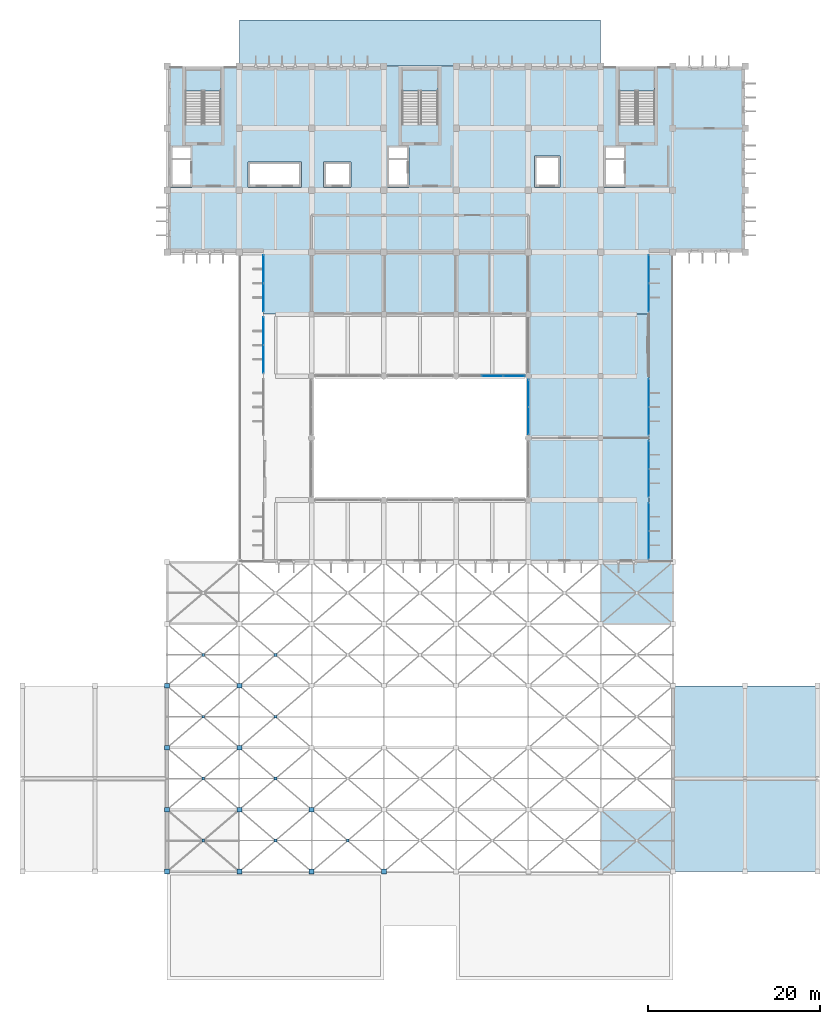
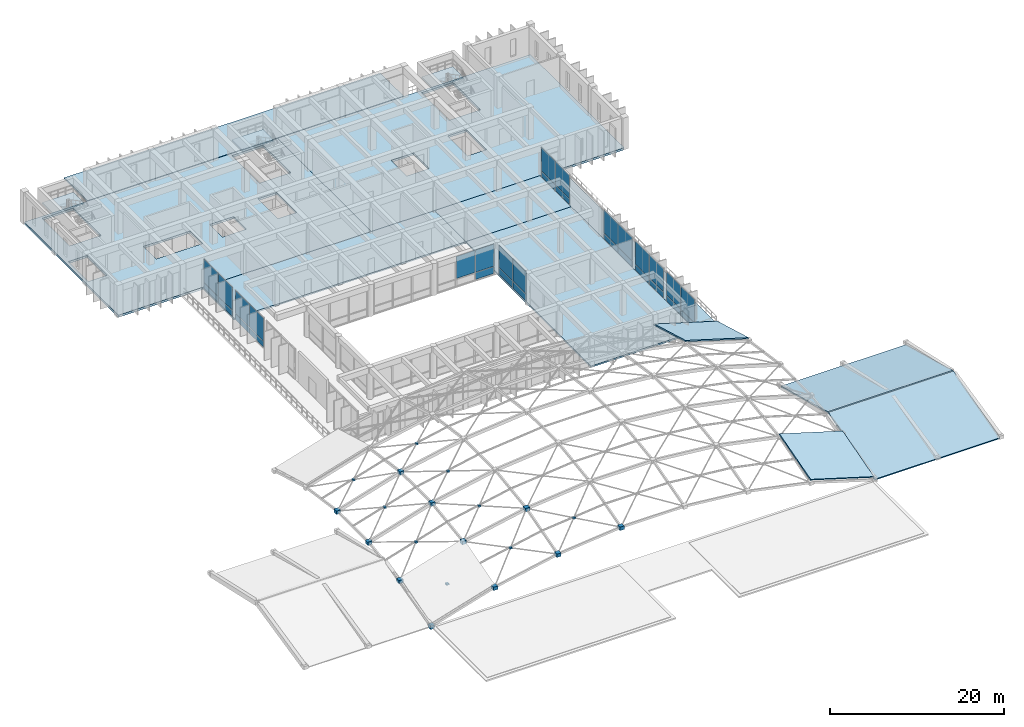
# One storey, part 14 of 23: 51 plates, 14 slabs, 11 elements without a shape of their own.
"""IFC4 building model written with IfcOpenShell, lengths in metres."""

from ifc_helpers import new_model, si_unit, direction, frame, origin, origin_2d, place, context, subcontext, project, spatial, polyline, rectangle, outline, extrude, material, layer, layer_set, type_object, element, aggregate, save


model = new_model("IFC4")

# Units and contexts
model_context = context("Model", 3, precision=1e-05, world=origin(), true_north=direction((0.0, 1.0)))
body_context = subcontext(model_context, "Body", "Model", "MODEL_VIEW")
ifc_project = project(units=[si_unit("LENGTHUNIT", "METRE"), si_unit("AREAUNIT", "SQUARE_METRE"), si_unit("VOLUMEUNIT", "CUBIC_METRE"), si_unit("PLANEANGLEUNIT", "RADIAN"), si_unit("MASSUNIT", "GRAM", prefix="KILO")], contexts=[model_context])

# Site, building, storey
site_placement = place(None, origin())
site = spatial("IfcSite", under=ifc_project, at=site_placement, CompositionType="ELEMENT")
building_placement = place(site_placement, origin())
building = spatial("IfcBuilding", under=site, at=building_placement, Name="Kenerak Square Central Library", CompositionType="ELEMENT")
storey_placement = place(building_placement, frame((0.0, 0.0, 18.8798828125)))
storey = spatial("IfcBuildingStorey", under=building, at=storey_placement, Name="L04", CompositionType="ELEMENT", Elevation=18.8798828125)

# Slabs
ifc_material_1 = material(Name="Concrete C40/50", Category="concrete")
ifc_layer_1 = layer(ifc_material_1, 0.300048828125)
ifc_layer_set_1 = layer_set([ifc_layer_1], Name="Concrete C40/50")
slab_type_1 = type_object("IfcSlabType", Name="Compact-Shelving Vault Slab FS-300 C40/50", PredefinedType="FLOOR", material=ifc_layer_set_1)
slab_1_placement = place(storey_placement, frame((0.0, 0.0, -0.2998046875)))
element("IfcSlab", 1, at=slab_1_placement, inside=storey, type_object=slab_type_1, Name="V5 Floor Slab L04 091", PredefinedType="FLOOR", context=body_context, shape_type="SweptSolid", body=[
    extrude(outline(polyline([(58.39990234375, 88.800048828125), (58.39990234375, 110.39990234375), (92.0, 110.39990234375), (92.0, 88.800048828125), (58.39990234375, 88.800048828125)]), holes=[polyline([(64.679931640625, 103.64990234375), (64.679931640625, 110.0), (60.52001953125, 110.0), (60.52001953125, 103.64990234375), (64.679931640625, 103.64990234375)]), polyline([(89.8798828125, 103.64990234375), (89.8798828125, 110.0), (85.719970703125, 110.0), (85.719970703125, 103.64990234375), (89.8798828125, 103.64990234375)]), polyline([(67.800048828125, 96.39990234375), (74.0, 96.39990234375), (74.0, 99.300048828125), (67.800048828125, 99.300048828125), (67.800048828125, 96.39990234375)]), polyline([(76.60009765625, 96.39990234375), (79.800048828125, 96.39990234375), (79.800048828125, 99.300048828125), (76.60009765625, 99.300048828125), (76.60009765625, 96.39990234375)]), polyline([(58.800048828125, 96.39990234375), (61.300048828125, 96.39990234375), (61.300048828125, 101.0), (58.800048828125, 101.0), (58.800048828125, 96.39990234375)]), polyline([(84.0, 96.39990234375), (86.5, 96.39990234375), (86.5, 101.0), (84.0, 101.0), (84.0, 96.39990234375)])]), origin(), (0.0, 0.0, 1.0), 0.2998046875),
])
slab_2_placement = place(storey_placement, frame((0.0, 0.0, -0.2998046875)))
element("IfcSlab", 2, at=slab_2_placement, inside=storey, type_object=slab_type_1, Name="V5 Floor Slab L04 092", PredefinedType="FLOOR", context=body_context, shape_type="SweptSolid", body=[
    extrude(outline(polyline([(92.0, 88.800048828125), (92.0, 110.39990234375), (125.60009765625, 110.39990234375), (125.60009765625, 88.800048828125), (92.0, 88.800048828125)]), holes=[polyline([(115.080078125, 103.64990234375), (115.080078125, 110.0), (110.919921875, 110.0), (110.919921875, 103.64990234375), (115.080078125, 103.64990234375)]), polyline([(109.199951171875, 96.39990234375), (111.699951171875, 96.39990234375), (111.699951171875, 101.0), (109.199951171875, 101.0), (109.199951171875, 96.39990234375)]), polyline([(101.10009765625, 96.39990234375), (104.10009765625, 96.39990234375), (104.10009765625, 100.0), (101.10009765625, 100.0), (101.10009765625, 96.39990234375)])]), origin(), (0.0, 0.0, 1.0), 0.2998046875),
])

# Curtain wall, plates
ifc_material_2 = material(Name="Intumescent fire-resisting glazing EI 60", Category="glass")
curtain_wall_type_1 = type_object("IfcCurtainWallType", Name="Curtain Wall CW-AT60-64x42 6450x4255", PredefinedType="USERDEFINED", material=ifc_material_2)
curtain_wall_1_placement = place(storey_placement, origin())
curtain_wall_1 = element("IfcCurtainWall", 3, at=curtain_wall_1_placement, inside=storey, type_object=curtain_wall_type_1, Name="Atrium Fire-Rated Glazed Screen CW-AT60-64x42 L04 0181", ObjectType="CURTAIN WALL", PredefinedType="USERDEFINED")
ifc_layer_2 = layer(ifc_material_2, 0.0419921875)
ifc_layer_set_2 = layer_set([ifc_layer_2], Name="Intumescent fire-resisting glazing EI 60")
plate_type_1 = type_object("IfcPlateType", Name="Fire-Rated EI60 Atrium Glazing Panel CP-42", PredefinedType="CURTAIN_PANEL", material=ifc_layer_set_2)
plate_1_placement = place(storey_placement, frame((100.39990234375, 69.205078125, 0.0703125), z_axis=(0.0, 0.0, 1.0), x_axis=(0.0, 1.0, 0.0)))
plate_1 = element("IfcPlate", 4, at=plate_1_placement, type_object=plate_type_1, Name="CW-AT60-64x42 Panel 1.1", PredefinedType="CURTAIN_PANEL", context=body_context, shape_type="SweptSolid", body=[
    extrude(rectangle(XDim=3.1201171875, YDim=0.0419921875, at=origin_2d()), origin(), (0.0, 0.0, 1.0), 0.945068359375),
])
plate_2_placement = place(storey_placement, frame((100.39990234375, 69.205078125, 1.0849609375), z_axis=(0.0, 0.0, 1.0), x_axis=(0.0, 1.0, 0.0)))
plate_2 = element("IfcPlate", 5, at=plate_2_placement, type_object=plate_type_1, Name="CW-AT60-64x42 Panel 1.2", PredefinedType="CURTAIN_PANEL", context=body_context, shape_type="SweptSolid", body=[
    extrude(rectangle(XDim=3.1201171875, YDim=0.0419921875, at=origin_2d()), origin(), (0.0, 0.0, 1.0), 3.10009765625),
])
plate_3_placement = place(storey_placement, frame((100.39990234375, 72.39501953125, 0.0703125), z_axis=(0.0, 0.0, 1.0), x_axis=(0.0, 1.0, 0.0)))
plate_3 = element("IfcPlate", 6, at=plate_3_placement, type_object=plate_type_1, Name="CW-AT60-64x42 Panel 2.1", PredefinedType="CURTAIN_PANEL", context=body_context, shape_type="SweptSolid", body=[
    extrude(rectangle(XDim=3.1201171875, YDim=0.0419921875, at=origin_2d()), origin(), (0.0, 0.0, 1.0), 0.945068359375),
])
plate_4_placement = place(storey_placement, frame((100.39990234375, 72.39501953125, 1.0849609375), z_axis=(0.0, 0.0, 1.0), x_axis=(0.0, 1.0, 0.0)))
plate_4 = element("IfcPlate", 7, at=plate_4_placement, type_object=plate_type_1, Name="CW-AT60-64x42 Panel 2.2", PredefinedType="CURTAIN_PANEL", context=body_context, shape_type="SweptSolid", body=[
    extrude(rectangle(XDim=3.1201171875, YDim=0.0419921875, at=origin_2d()), origin(), (0.0, 0.0, 1.0), 3.10009765625),
])
aggregate(curtain_wall_1, [plate_1, plate_2, plate_3, plate_4])

curtain_wall_type_2 = type_object("IfcCurtainWallType", Name="Curtain Wall CW-AT60-76x42 7650x4255", PredefinedType="USERDEFINED", material=ifc_material_2)
curtain_wall_2_placement = place(storey_placement, origin())
curtain_wall_2 = element("IfcCurtainWall", 8, at=curtain_wall_2_placement, inside=storey, type_object=curtain_wall_type_2, Name="Atrium Fire-Rated Glazed Screen CW-AT60-76x42 L04 0182", ObjectType="CURTAIN WALL", PredefinedType="USERDEFINED")
plate_5_placement = place(storey_placement, frame((98.732421875, 74.39990234375, 0.0703125), z_axis=(0.0, 0.0, 1.0), x_axis=(-1.0, 0.0, 0.0)))
plate_5 = element("IfcPlate", 9, at=plate_5_placement, type_object=plate_type_1, Name="CW-AT60-76x42 Panel 1.1", PredefinedType="CURTAIN_PANEL", context=body_context, shape_type="SweptSolid", body=[
    extrude(rectangle(XDim=2.445068359375, YDim=0.0419921875, at=origin_2d()), origin(), (0.0, 0.0, 1.0), 0.945068359375),
])
plate_6_placement = place(storey_placement, frame((98.732421875, 74.39990234375, 1.0849609375), z_axis=(0.0, 0.0, 1.0), x_axis=(-1.0, 0.0, 0.0)))
plate_6 = element("IfcPlate", 10, at=plate_6_placement, type_object=plate_type_1, Name="CW-AT60-76x42 Panel 1.2", PredefinedType="CURTAIN_PANEL", context=body_context, shape_type="SweptSolid", body=[
    extrude(rectangle(XDim=2.445068359375, YDim=0.0419921875, at=origin_2d()), origin(), (0.0, 0.0, 1.0), 3.10009765625),
])
plate_7_placement = place(storey_placement, frame((96.199951171875, 74.39990234375, 1.0849609375), z_axis=(0.0, 0.0, 1.0), x_axis=(-1.0, 0.0, 0.0)))
plate_7 = element("IfcPlate", 11, at=plate_7_placement, type_object=plate_type_1, Name="CW-AT60-76x42 Panel 2.2", PredefinedType="CURTAIN_PANEL", context=body_context, shape_type="SweptSolid", body=[
    extrude(rectangle(XDim=2.47998046875, YDim=0.0419921875, at=origin_2d()), origin(), (0.0, 0.0, 1.0), 3.10009765625),
])
aggregate(curtain_wall_2, [plate_5, plate_6, plate_7])

# Slabs
ifc_layer_3 = layer(ifc_material_1, 0.22509765625)
ifc_layer_set_3 = layer_set([ifc_layer_3], Name="Concrete C40/50")
slab_type_2 = type_object("IfcSlabType", Name="General Reading Room Slab FS-225 C40/50", PredefinedType="FLOOR", material=ifc_layer_set_3)
slab_3_placement = place(storey_placement, frame((0.0, 0.0, -0.224853515625)))
element("IfcSlab", 12, at=slab_3_placement, inside=storey, type_object=slab_type_2, Name="V4 Floor Slab L04 053", PredefinedType="FLOOR", context=body_context, shape_type="SweptSolid", body=[
    extrude(outline(polyline([(69.60009765625, 81.60009765625), (69.60009765625, 88.800048828125), (100.39990234375, 88.800048828125), (100.39990234375, 81.60009765625), (69.60009765625, 81.60009765625)])), origin(), (0.0, 0.0, 1.0), 0.224853515625),
])
slab_4_placement = place(storey_placement, frame((0.0, 0.0, -0.224853515625)))
element("IfcSlab", 13, at=slab_4_placement, inside=storey, type_object=slab_type_2, Name="V4 Floor Slab L04 054", PredefinedType="FLOOR", context=body_context, shape_type="SweptSolid", body=[
    extrude(outline(polyline([(100.39990234375, 81.60009765625), (114.39990234375, 81.60009765625), (114.39990234375, 52.800048828125), (100.39990234375, 52.800048828125), (100.39990234375, 60.0), (100.39990234375, 74.39990234375), (100.39990234375, 81.60009765625)])), origin(), (0.0, 0.0, 1.0), 0.224853515625),
])
slab_5_placement = place(storey_placement, frame((0.0, 0.0, -0.224853515625)))
element("IfcSlab", 14, at=slab_5_placement, inside=storey, type_object=slab_type_2, Name="V4 Floor Slab L04 055", PredefinedType="FLOOR", context=body_context, shape_type="SweptSolid", body=[
    extrude(outline(polyline([(100.39990234375, 81.60009765625), (100.39990234375, 88.800048828125), (114.39990234375, 88.800048828125), (114.39990234375, 81.60009765625), (100.39990234375, 81.60009765625)])), origin(), (0.0, 0.0, 1.0), 0.224853515625),
])
ifc_material_3 = material(Name="Steel S355", Category="steel")
ifc_layer_4 = layer(ifc_material_3, 0.159912109375)
ifc_layer_set_4 = layer_set([ifc_layer_4], Name="Steel S355")
slab_type_3 = type_object("IfcSlabType", Name="Gridshell Insulated Planar Roof Panel RS-160 S355", PredefinedType="ROOF", material=ifc_layer_set_4)
slab_6_placement = place(storey_placement, frame((108.800048828125, 16.800048828125, 2.967041015625), z_axis=(0.279984025087, -0.262647852412, 0.923376982234), x_axis=(0.956974946821, 3.372803e-06, -0.290170555271)))
element("IfcSlab", 15, at=slab_6_placement, inside=storey, type_object=slab_type_3, Name="Gridshell Roof Panel 7-1", PredefinedType="ROOF", context=body_context, shape_type="SweptSolid", body=[
    extrude(outline(polyline([(0.0, 0.0), (8.777524231664453, 0.0), (8.183322290674989, 7.461897676867267), (-0.594272783410186, 7.461959041212708), (0.0, 0.0)])), origin(), (0.0, 0.0, -1.0), 0.159912109375),
])
slab_7_placement = place(storey_placement, frame((108.800048828125, 45.60009765625, 5.01513671875), z_axis=(0.279984025087, 0.262647852412, 0.923376982234), x_axis=(0.956974414015, 3.372775e-06, -0.290172312445)))
element("IfcSlab", 16, at=slab_7_placement, inside=storey, type_object=slab_type_3, Name="Gridshell Roof Panel 7-5", PredefinedType="ROOF", context=body_context, shape_type="SweptSolid", body=[
    extrude(outline(polyline([(0.0, 0.0), (8.777595074299674, 0.0), (9.371849181552832, 7.461893522607083), (0.5943249501028759, 7.461954886457261), (0.0, 0.0)])), origin(), (0.0, 0.0, -1.0), 0.159912109375),
])

# Plates
ifc_layer_5 = layer(ifc_material_3, 0.044921875)
ifc_layer_set_5 = layer_set([ifc_layer_5], Name="Steel S355")
plate_type_2 = type_object("IfcPlateType", Name="Gridshell Pin-Shoe Bearing Node GSN-02 45mm S355", PredefinedType="USERDEFINED", material=ifc_layer_set_5)
for number, where, z_axis, x_axis, name in (
    (17, (58.39990234375, 16.800048828125, -0.239990234375), (0.0, 0.0, 1.0), (1.0, 0.0, 0.0), "Gridshell Node GSN-02 1-1"),
    (18, (58.39990234375, 24.0, 1.80810546875), (0.0, 0.0, 1.0), (1.0, 0.0, 0.0), "Gridshell Node GSN-02 1-2"),
    (19, (58.39990234375, 31.199951171875, 2.83203125), (0.0, 0.0, 1.0), (1.0, 0.0, 0.0), "Gridshell Node GSN-02 1-3"),
    (20, (58.39990234375, 38.39990234375, 2.83203125), (0.0, 0.0, 1.0), (1.0, 0.0, 0.0), "Gridshell Node GSN-02 1-4"),
    (21, (66.800048828125, 16.800048828125, 2.30712890625), (0.0, 0.0, 1.0), (1.0, 0.0, 0.0), "Gridshell Node GSN-02 2-1"),
    (22, (75.199951171875, 16.800048828125, 4.005126953125), (0.0, 0.0, 1.0), (1.0, 0.0, 0.0), "Gridshell Node GSN-02 3-1"),
    (23, (83.60009765625, 16.800048828125, 4.85400390625), (0.0, 0.0, 1.0), (1.0, 0.0, 0.0), "Gridshell Node GSN-02 4-1"),
):
    element("IfcPlate", number, at=place(storey_placement, frame(where, z_axis=z_axis, x_axis=x_axis)), inside=storey, type_object=plate_type_2, Name=name, ObjectType="GUSSET PLATE", PredefinedType="USERDEFINED", context=body_context, shape_type="SweptSolid", body=[
        extrude(rectangle(XDim=0.56005859375, YDim=0.56005859375, at=origin_2d()), origin(), (0.0, 0.0, 1.0), 0.47998046875),
    ])
ifc_layer_6 = layer(ifc_material_3, 0.034912109375)
ifc_layer_set_6 = layer_set([ifc_layer_6], Name="Steel S355")
plate_type_3 = type_object("IfcPlateType", Name="Gridshell Star Node Cap GSN-01 35mm S355", PredefinedType="USERDEFINED", material=ifc_layer_set_6)
for number, where, z_axis, x_axis, name in (
    (24, (66.800048828125, 24.0, 4.35498046875), (0.0, 0.0, 1.0), (1.0, 0.0, 0.0), "Gridshell Node GSN-01 2-2"),
    (25, (66.800048828125, 31.199951171875, 5.379150390625), (0.0, 0.0, 1.0), (1.0, 0.0, 0.0), "Gridshell Node GSN-01 2-3"),
    (26, (66.800048828125, 38.39990234375, 5.379150390625), (0.0, 0.0, 1.0), (1.0, 0.0, 0.0), "Gridshell Node GSN-01 2-4"),
    (27, (75.199951171875, 24.0, 6.052978515625), (0.0, 0.0, 1.0), (1.0, 0.0, 0.0), "Gridshell Node GSN-01 3-2"),
):
    element("IfcPlate", number, at=place(storey_placement, frame(where, z_axis=z_axis, x_axis=x_axis)), inside=storey, type_object=plate_type_3, Name=name, ObjectType="GUSSET PLATE", PredefinedType="USERDEFINED", context=body_context, shape_type="SweptSolid", body=[
        extrude(rectangle(XDim=0.56005859375, YDim=0.56005859375, at=origin_2d()), origin(), (0.0, 0.0, 1.0), 0.47998046875),
    ])

# Slab
ifc_layer_7 = layer(ifc_material_1, 0.199951171875)
ifc_layer_set_7 = layer_set([ifc_layer_7], Name="Concrete C40/50")
slab_type_4 = type_object("IfcSlabType", Name="Heavyweight Stack Flat Roof Slab RS-200 C40/50", PredefinedType="ROOF", material=ifc_layer_set_7)
slab_8_placement = place(storey_placement, frame((0.0, 0.0, -0.199951171875)))
element("IfcSlab", 28, at=slab_8_placement, inside=storey, type_object=slab_type_4, Name="Stepped Stack Roof V5-L04-N", PredefinedType="ROOF", context=body_context, shape_type="SweptSolid", body=[
    extrude(outline(polyline([(66.800048828125, 110.449951171875), (108.800048828125, 110.449951171875), (108.800048828125, 115.800048828125), (66.800048828125, 115.800048828125), (66.800048828125, 110.449951171875)])), origin(), (0.0, 0.0, 1.0), 0.199951171875),
])

# Curtain wall, plates
ifc_material_4 = material(Name="Anodised aluminium and solar-control low-E glazing", Category="aluminium")
curtain_wall_type_3 = type_object("IfcCurtainWallType", Name="Curtain Wall CW-V4-66x42 6600x4255", PredefinedType="USERDEFINED", material=ifc_material_4)
curtain_wall_3_placement = place(storey_placement, origin())
curtain_wall_3 = element("IfcCurtainWall", 29, at=curtain_wall_3_placement, inside=storey, type_object=curtain_wall_type_3, Name="Curtain Wall CW-V4-66x42 L04 0145", ObjectType="CURTAIN WALL", PredefinedType="USERDEFINED")
ifc_material_5 = material(Name="Solar-control low-E laminated double glazing", Category="glass")
ifc_layer_8 = layer(ifc_material_5, 0.02392578125)
ifc_layer_set_8 = layer_set([ifc_layer_8], Name="Solar-control low-E laminated double glazing")
plate_type_4 = type_object("IfcPlateType", Name="Low-E Double Glazed Curtain Panel CP-24", PredefinedType="CURTAIN_PANEL", material=ifc_layer_set_8)
plate_8_placement = place(storey_placement, frame((69.60009765625, 76.3662109375, 0.06494140625), z_axis=(0.0, 0.0, 1.0), x_axis=(0.0, 1.0, 0.0)))
plate_8 = element("IfcPlate", 30, at=plate_8_placement, type_object=plate_type_4, Name="CW-V4-66x42 Panel 1.1", PredefinedType="CURTAIN_PANEL", context=body_context, shape_type="SweptSolid", body=[
    extrude(rectangle(XDim=3.202392578125, YDim=0.02392578125, at=origin_2d()), origin(), (0.0, 0.0, 1.0), 0.802490234375),
])
plate_9_placement = place(storey_placement, frame((69.60009765625, 76.3662109375, 0.9326171875), z_axis=(0.0, 0.0, 1.0), x_axis=(0.0, 1.0, 0.0)))
plate_9 = element("IfcPlate", 31, at=plate_9_placement, type_object=plate_type_4, Name="CW-V4-66x42 Panel 1.2", PredefinedType="CURTAIN_PANEL", context=body_context, shape_type="SweptSolid", body=[
    extrude(rectangle(XDim=3.202392578125, YDim=0.02392578125, at=origin_2d()), origin(), (0.0, 0.0, 1.0), 3.257568359375),
])
plate_10_placement = place(storey_placement, frame((69.60009765625, 79.6337890625, 0.06494140625), z_axis=(0.0, 0.0, 1.0), x_axis=(0.0, 1.0, 0.0)))
plate_10 = element("IfcPlate", 32, at=plate_10_placement, type_object=plate_type_4, Name="CW-V4-66x42 Panel 2.1", PredefinedType="CURTAIN_PANEL", context=body_context, shape_type="SweptSolid", body=[
    extrude(rectangle(XDim=3.202392578125, YDim=0.02392578125, at=origin_2d()), origin(), (0.0, 0.0, 1.0), 0.802490234375),
])
plate_11_placement = place(storey_placement, frame((69.60009765625, 79.6337890625, 0.9326171875), z_axis=(0.0, 0.0, 1.0), x_axis=(0.0, 1.0, 0.0)))
plate_11 = element("IfcPlate", 33, at=plate_11_placement, type_object=plate_type_4, Name="CW-V4-66x42 Panel 2.2", PredefinedType="CURTAIN_PANEL", context=body_context, shape_type="SweptSolid", body=[
    extrude(rectangle(XDim=3.202392578125, YDim=0.02392578125, at=origin_2d()), origin(), (0.0, 0.0, 1.0), 3.257568359375),
])
aggregate(curtain_wall_3, [plate_8, plate_9, plate_10, plate_11])

curtain_wall_4_placement = place(storey_placement, origin())
curtain_wall_4 = element("IfcCurtainWall", 34, at=curtain_wall_4_placement, inside=storey, type_object=curtain_wall_type_3, Name="Curtain Wall CW-V4-66x42 L04 0146", ObjectType="CURTAIN WALL", PredefinedType="USERDEFINED")
plate_12_placement = place(storey_placement, frame((69.60009765625, 83.566162109375, 0.06494140625), z_axis=(0.0, 0.0, 1.0), x_axis=(0.0, 1.0, 0.0)))
plate_12 = element("IfcPlate", 35, at=plate_12_placement, type_object=plate_type_4, Name="CW-V4-66x42 Panel 1.1", PredefinedType="CURTAIN_PANEL", context=body_context, shape_type="SweptSolid", body=[
    extrude(rectangle(XDim=3.202392578125, YDim=0.02392578125, at=origin_2d()), origin(), (0.0, 0.0, 1.0), 0.802490234375),
])
plate_13_placement = place(storey_placement, frame((69.60009765625, 83.566162109375, 0.9326171875), z_axis=(0.0, 0.0, 1.0), x_axis=(0.0, 1.0, 0.0)))
plate_13 = element("IfcPlate", 36, at=plate_13_placement, type_object=plate_type_4, Name="CW-V4-66x42 Panel 1.2", PredefinedType="CURTAIN_PANEL", context=body_context, shape_type="SweptSolid", body=[
    extrude(rectangle(XDim=3.202392578125, YDim=0.02392578125, at=origin_2d()), origin(), (0.0, 0.0, 1.0), 3.257568359375),
])
plate_14_placement = place(storey_placement, frame((69.60009765625, 86.833740234375, 0.06494140625), z_axis=(0.0, 0.0, 1.0), x_axis=(0.0, 1.0, 0.0)))
plate_14 = element("IfcPlate", 37, at=plate_14_placement, type_object=plate_type_4, Name="CW-V4-66x42 Panel 2.1", PredefinedType="CURTAIN_PANEL", context=body_context, shape_type="SweptSolid", body=[
    extrude(rectangle(XDim=3.202392578125, YDim=0.02392578125, at=origin_2d()), origin(), (0.0, 0.0, 1.0), 0.802490234375),
])
plate_15_placement = place(storey_placement, frame((69.60009765625, 86.833740234375, 0.9326171875), z_axis=(0.0, 0.0, 1.0), x_axis=(0.0, 1.0, 0.0)))
plate_15 = element("IfcPlate", 38, at=plate_15_placement, type_object=plate_type_4, Name="CW-V4-66x42 Panel 2.2", PredefinedType="CURTAIN_PANEL", context=body_context, shape_type="SweptSolid", body=[
    extrude(rectangle(XDim=3.202392578125, YDim=0.02392578125, at=origin_2d()), origin(), (0.0, 0.0, 1.0), 3.257568359375),
])
aggregate(curtain_wall_4, [plate_12, plate_13, plate_14, plate_15])

curtain_wall_5_placement = place(storey_placement, origin())
curtain_wall_5 = element("IfcCurtainWall", 39, at=curtain_wall_5_placement, inside=storey, type_object=curtain_wall_type_3, Name="Curtain Wall CW-V4-66x42 L04 0147", ObjectType="CURTAIN WALL", PredefinedType="USERDEFINED")
plate_16_placement = place(storey_placement, frame((114.39990234375, 86.833740234375, 0.06494140625), z_axis=(0.0, 0.0, 1.0), x_axis=(0.0, -1.0, 0.0)))
plate_16 = element("IfcPlate", 40, at=plate_16_placement, type_object=plate_type_4, Name="CW-V4-66x42 Panel 1.1", PredefinedType="CURTAIN_PANEL", context=body_context, shape_type="SweptSolid", body=[
    extrude(rectangle(XDim=3.202392578125, YDim=0.02392578125, at=origin_2d()), origin(), (0.0, 0.0, 1.0), 0.802490234375),
])
plate_17_placement = place(storey_placement, frame((114.39990234375, 86.833740234375, 0.9326171875), z_axis=(0.0, 0.0, 1.0), x_axis=(0.0, -1.0, 0.0)))
plate_17 = element("IfcPlate", 41, at=plate_17_placement, type_object=plate_type_4, Name="CW-V4-66x42 Panel 1.2", PredefinedType="CURTAIN_PANEL", context=body_context, shape_type="SweptSolid", body=[
    extrude(rectangle(XDim=3.202392578125, YDim=0.02392578125, at=origin_2d()), origin(), (0.0, 0.0, 1.0), 3.257568359375),
])
plate_18_placement = place(storey_placement, frame((114.39990234375, 83.566162109375, 0.06494140625), z_axis=(0.0, 0.0, 1.0), x_axis=(0.0, -1.0, 0.0)))
plate_18 = element("IfcPlate", 42, at=plate_18_placement, type_object=plate_type_4, Name="CW-V4-66x42 Panel 2.1", PredefinedType="CURTAIN_PANEL", context=body_context, shape_type="SweptSolid", body=[
    extrude(rectangle(XDim=3.202392578125, YDim=0.02392578125, at=origin_2d()), origin(), (0.0, 0.0, 1.0), 0.802490234375),
])
plate_19_placement = place(storey_placement, frame((114.39990234375, 83.566162109375, 0.9326171875), z_axis=(0.0, 0.0, 1.0), x_axis=(0.0, -1.0, 0.0)))
plate_19 = element("IfcPlate", 43, at=plate_19_placement, type_object=plate_type_4, Name="CW-V4-66x42 Panel 2.2", PredefinedType="CURTAIN_PANEL", context=body_context, shape_type="SweptSolid", body=[
    extrude(rectangle(XDim=3.202392578125, YDim=0.02392578125, at=origin_2d()), origin(), (0.0, 0.0, 1.0), 3.257568359375),
])
aggregate(curtain_wall_5, [plate_16, plate_17, plate_18, plate_19])

curtain_wall_6_placement = place(storey_placement, origin())
curtain_wall_6 = element("IfcCurtainWall", 44, at=curtain_wall_6_placement, inside=storey, type_object=curtain_wall_type_3, Name="Curtain Wall CW-V4-66x42 L04 0148", ObjectType="CURTAIN WALL", PredefinedType="USERDEFINED")
plate_20_placement = place(storey_placement, frame((114.39990234375, 72.433837890625, 0.06494140625), z_axis=(0.0, 0.0, 1.0), x_axis=(0.0, -1.0, 0.0)))
plate_20 = element("IfcPlate", 45, at=plate_20_placement, type_object=plate_type_4, Name="CW-V4-66x42 Panel 1.1", PredefinedType="CURTAIN_PANEL", context=body_context, shape_type="SweptSolid", body=[
    extrude(rectangle(XDim=3.202392578125, YDim=0.02392578125, at=origin_2d()), origin(), (0.0, 0.0, 1.0), 0.802490234375),
])
plate_21_placement = place(storey_placement, frame((114.39990234375, 72.433837890625, 0.9326171875), z_axis=(0.0, 0.0, 1.0), x_axis=(0.0, -1.0, 0.0)))
plate_21 = element("IfcPlate", 46, at=plate_21_placement, type_object=plate_type_4, Name="CW-V4-66x42 Panel 1.2", PredefinedType="CURTAIN_PANEL", context=body_context, shape_type="SweptSolid", body=[
    extrude(rectangle(XDim=3.202392578125, YDim=0.02392578125, at=origin_2d()), origin(), (0.0, 0.0, 1.0), 3.257568359375),
])
plate_22_placement = place(storey_placement, frame((114.39990234375, 69.166259765625, 0.06494140625), z_axis=(0.0, 0.0, 1.0), x_axis=(0.0, -1.0, 0.0)))
plate_22 = element("IfcPlate", 47, at=plate_22_placement, type_object=plate_type_4, Name="CW-V4-66x42 Panel 2.1", PredefinedType="CURTAIN_PANEL", context=body_context, shape_type="SweptSolid", body=[
    extrude(rectangle(XDim=3.202392578125, YDim=0.02392578125, at=origin_2d()), origin(), (0.0, 0.0, 1.0), 0.802490234375),
])
plate_23_placement = place(storey_placement, frame((114.39990234375, 69.166259765625, 0.9326171875), z_axis=(0.0, 0.0, 1.0), x_axis=(0.0, -1.0, 0.0)))
plate_23 = element("IfcPlate", 48, at=plate_23_placement, type_object=plate_type_4, Name="CW-V4-66x42 Panel 2.2", PredefinedType="CURTAIN_PANEL", context=body_context, shape_type="SweptSolid", body=[
    extrude(rectangle(XDim=3.202392578125, YDim=0.02392578125, at=origin_2d()), origin(), (0.0, 0.0, 1.0), 3.257568359375),
])
aggregate(curtain_wall_6, [plate_20, plate_21, plate_22, plate_23])

curtain_wall_7_placement = place(storey_placement, origin())
curtain_wall_7 = element("IfcCurtainWall", 49, at=curtain_wall_7_placement, inside=storey, type_object=curtain_wall_type_3, Name="Curtain Wall CW-V4-66x42 L04 0149", ObjectType="CURTAIN WALL", PredefinedType="USERDEFINED")
plate_24_placement = place(storey_placement, frame((114.39990234375, 65.233642578125, 0.06494140625), z_axis=(0.0, 0.0, 1.0), x_axis=(0.0, -1.0, 0.0)))
plate_24 = element("IfcPlate", 50, at=plate_24_placement, type_object=plate_type_4, Name="CW-V4-66x42 Panel 1.1", PredefinedType="CURTAIN_PANEL", context=body_context, shape_type="SweptSolid", body=[
    extrude(rectangle(XDim=3.202392578125, YDim=0.02392578125, at=origin_2d()), origin(), (0.0, 0.0, 1.0), 0.802490234375),
])
plate_25_placement = place(storey_placement, frame((114.39990234375, 65.233642578125, 0.9326171875), z_axis=(0.0, 0.0, 1.0), x_axis=(0.0, -1.0, 0.0)))
plate_25 = element("IfcPlate", 51, at=plate_25_placement, type_object=plate_type_4, Name="CW-V4-66x42 Panel 1.2", PredefinedType="CURTAIN_PANEL", context=body_context, shape_type="SweptSolid", body=[
    extrude(rectangle(XDim=3.202392578125, YDim=0.02392578125, at=origin_2d()), origin(), (0.0, 0.0, 1.0), 3.257568359375),
])
plate_26_placement = place(storey_placement, frame((114.39990234375, 61.96630859375, 0.06494140625), z_axis=(0.0, 0.0, 1.0), x_axis=(0.0, -1.0, 0.0)))
plate_26 = element("IfcPlate", 52, at=plate_26_placement, type_object=plate_type_4, Name="CW-V4-66x42 Panel 2.1", PredefinedType="CURTAIN_PANEL", context=body_context, shape_type="SweptSolid", body=[
    extrude(rectangle(XDim=3.202392578125, YDim=0.02392578125, at=origin_2d()), origin(), (0.0, 0.0, 1.0), 0.802490234375),
])
plate_27_placement = place(storey_placement, frame((114.39990234375, 61.96630859375, 0.9326171875), z_axis=(0.0, 0.0, 1.0), x_axis=(0.0, -1.0, 0.0)))
plate_27 = element("IfcPlate", 53, at=plate_27_placement, type_object=plate_type_4, Name="CW-V4-66x42 Panel 2.2", PredefinedType="CURTAIN_PANEL", context=body_context, shape_type="SweptSolid", body=[
    extrude(rectangle(XDim=3.202392578125, YDim=0.02392578125, at=origin_2d()), origin(), (0.0, 0.0, 1.0), 3.257568359375),
])
aggregate(curtain_wall_7, [plate_24, plate_25, plate_26, plate_27])

curtain_wall_8_placement = place(storey_placement, origin())
curtain_wall_8 = element("IfcCurtainWall", 54, at=curtain_wall_8_placement, inside=storey, type_object=curtain_wall_type_3, Name="Curtain Wall CW-V4-66x42 L04 0150", ObjectType="CURTAIN WALL", PredefinedType="USERDEFINED")
plate_28_placement = place(storey_placement, frame((114.39990234375, 58.03369140625, 0.06494140625), z_axis=(0.0, 0.0, 1.0), x_axis=(0.0, -1.0, 0.0)))
plate_28 = element("IfcPlate", 55, at=plate_28_placement, type_object=plate_type_4, Name="CW-V4-66x42 Panel 1.1", PredefinedType="CURTAIN_PANEL", context=body_context, shape_type="SweptSolid", body=[
    extrude(rectangle(XDim=3.202392578125, YDim=0.02392578125, at=origin_2d()), origin(), (0.0, 0.0, 1.0), 0.802490234375),
])
plate_29_placement = place(storey_placement, frame((114.39990234375, 58.03369140625, 0.9326171875), z_axis=(0.0, 0.0, 1.0), x_axis=(0.0, -1.0, 0.0)))
plate_29 = element("IfcPlate", 56, at=plate_29_placement, type_object=plate_type_4, Name="CW-V4-66x42 Panel 1.2", PredefinedType="CURTAIN_PANEL", context=body_context, shape_type="SweptSolid", body=[
    extrude(rectangle(XDim=3.202392578125, YDim=0.02392578125, at=origin_2d()), origin(), (0.0, 0.0, 1.0), 3.257568359375),
])
plate_30_placement = place(storey_placement, frame((114.39990234375, 54.766357421875, 0.06494140625), z_axis=(0.0, 0.0, 1.0), x_axis=(0.0, -1.0, 0.0)))
plate_30 = element("IfcPlate", 57, at=plate_30_placement, type_object=plate_type_4, Name="CW-V4-66x42 Panel 2.1", PredefinedType="CURTAIN_PANEL", context=body_context, shape_type="SweptSolid", body=[
    extrude(rectangle(XDim=3.202392578125, YDim=0.02392578125, at=origin_2d()), origin(), (0.0, 0.0, 1.0), 0.802490234375),
])
plate_31_placement = place(storey_placement, frame((114.39990234375, 54.766357421875, 0.9326171875), z_axis=(0.0, 0.0, 1.0), x_axis=(0.0, -1.0, 0.0)))
plate_31 = element("IfcPlate", 58, at=plate_31_placement, type_object=plate_type_4, Name="CW-V4-66x42 Panel 2.2", PredefinedType="CURTAIN_PANEL", context=body_context, shape_type="SweptSolid", body=[
    extrude(rectangle(XDim=3.202392578125, YDim=0.02392578125, at=origin_2d()), origin(), (0.0, 0.0, 1.0), 3.257568359375),
])
aggregate(curtain_wall_8, [plate_28, plate_29, plate_30, plate_31])

# Slabs
ifc_material_6 = material(Name="Precast concrete C40/50", Category="concrete")
ifc_layer_9 = layer(ifc_material_6, 0.179931640625)
ifc_layer_set_9 = layer_set([ifc_layer_9], Name="Precast concrete C40/50")
slab_type_5 = type_object("IfcSlabType", Name="Pitched Standing-Seam Acoustic Roof Deck RS-180 C40/50", PredefinedType="ROOF", material=ifc_layer_set_9)
for number, where, z_axis, x_axis, name in (
    (59, (117.320068359375, 16.800048828125, 0.0), (0.0, -0.261148776659, 0.965298563373), (1.0, 0.0, 0.0), "Tropical Overhang Roof V6E-MAIN South"),
    (60, (117.320068359375, 27.679931640625, 2.900146484375), (0.0, 0.261148776659, 0.965298563373), (1.0, 0.0, 0.0), "Tropical Overhang Roof V6E-MAIN North"),
):
    element("IfcSlab", number, at=place(storey_placement, frame(where, z_axis=z_axis, x_axis=x_axis)), inside=storey, type_object=slab_type_5, Name=name, PredefinedType="ROOF", context=body_context, shape_type="SweptSolid", body=[
        extrude(outline(polyline([(0.0, 0.0), (16.639892578125, 0.0), (16.639892578125, 11.105342025651032), (0.0, 11.105342025651032), (0.0, 0.0)])), origin(), (0.0, 0.0, -1.0), 0.179931640625),
    ])
ifc_layer_10 = layer(ifc_material_1, 0.324951171875)
ifc_layer_set_10 = layer_set([ifc_layer_10], Name="Concrete C40/50")
slab_type_6 = type_object("IfcSlabType", Name="Planted Reading Terrace Slab TS-325 C40/50", PredefinedType="FLOOR", material=ifc_layer_set_10)
slab_9_placement = place(storey_placement, frame((0.0, 0.0, -0.324951171875)))
element("IfcSlab", 61, at=slab_9_placement, inside=storey, type_object=slab_type_6, Name="East Court Reading Terrace L04", PredefinedType="FLOOR", context=body_context, shape_type="SweptSolid", body=[
    extrude(outline(polyline([(114.39990234375, 52.800048828125), (117.199951171875, 52.800048828125), (117.199951171875, 88.800048828125), (114.39990234375, 88.800048828125), (114.39990234375, 52.800048828125)])), origin(), (0.0, 0.0, 1.0), 0.324951171875),
])

# Stair, slab
stair_type = type_object("IfcStairType", Name="Exit Dogleg Stair ST-448 C40/50", PredefinedType="HALF_TURN_STAIR", material=ifc_material_1)
stair_1_placement = place(storey_placement, origin())
stair_1 = element("IfcStair", 62, at=stair_1_placement, inside=storey, type_object=stair_type, Name="L04 Protected Exit Stair ST-01", PredefinedType="HALF_TURN_STAIR")
ifc_layer_11 = layer(ifc_material_1, 0.199951171875)
ifc_layer_set_11 = layer_set([ifc_layer_11], Name="Concrete C40/50")
slab_type_7 = type_object("IfcSlabType", Name="Stair Half-Landing Slab LD-200 C40/50", PredefinedType="LANDING", material=ifc_layer_set_11)
slab_10_placement = place(storey_placement, frame((0.0, 0.0, 2.0400390625)))
slab_10 = element("IfcSlab", 63, at=slab_10_placement, type_object=slab_type_7, Name="ST-01 Landing 1", PredefinedType="LANDING", context=body_context, shape_type="SweptSolid", body=[
    extrude(outline(polyline([(64.679931640625, 107.550048828125), (64.679931640625, 110.0), (60.52001953125, 110.0), (60.52001953125, 107.550048828125), (64.679931640625, 107.550048828125)])), origin(), (0.0, 0.0, 1.0), 0.2001953125),
])
aggregate(stair_1, [slab_10])

stair_2_placement = place(storey_placement, origin())
stair_2 = element("IfcStair", 64, at=stair_2_placement, inside=storey, type_object=stair_type, Name="L04 Protected Exit Stair ST-02", PredefinedType="HALF_TURN_STAIR")
slab_11_placement = place(storey_placement, frame((0.0, 0.0, 2.0400390625)))
slab_11 = element("IfcSlab", 65, at=slab_11_placement, type_object=slab_type_7, Name="ST-02 Landing 1", PredefinedType="LANDING", context=body_context, shape_type="SweptSolid", body=[
    extrude(outline(polyline([(89.8798828125, 107.550048828125), (89.8798828125, 110.0), (85.719970703125, 110.0), (85.719970703125, 107.550048828125), (89.8798828125, 107.550048828125)])), origin(), (0.0, 0.0, 1.0), 0.2001953125),
])
aggregate(stair_2, [slab_11])

stair_3_placement = place(storey_placement, origin())
stair_3 = element("IfcStair", 66, at=stair_3_placement, inside=storey, type_object=stair_type, Name="L04 Protected Exit Stair ST-03", PredefinedType="HALF_TURN_STAIR")
slab_12_placement = place(storey_placement, frame((0.0, 0.0, 2.0400390625)))
slab_12 = element("IfcSlab", 67, at=slab_12_placement, type_object=slab_type_7, Name="ST-03 Landing 1", PredefinedType="LANDING", context=body_context, shape_type="SweptSolid", body=[
    extrude(outline(polyline([(115.080078125, 107.550048828125), (115.080078125, 110.0), (110.919921875, 110.0), (110.919921875, 107.550048828125), (115.080078125, 107.550048828125)])), origin(), (0.0, 0.0, 1.0), 0.2001953125),
])
aggregate(stair_3, [slab_12])

# Plates
ifc_layer_12 = layer(ifc_material_3, 0.02490234375)
ifc_layer_set_12 = layer_set([ifc_layer_12], Name="Steel S355")
plate_type_5 = type_object("IfcPlateType", Name="X-Brace Crossing Gusset Node GSX-01 25mm S355", PredefinedType="USERDEFINED", material=ifc_layer_set_12)
for number, where, z_axis, x_axis, name in (
    (68, (62.60009765625, 20.39990234375, 2.1875), (0.0, 0.0, 1.0), (1.0, 0.0, 0.0), "Gridshell X-Brace Crossing Plate GSX-01 0141"),
    (69, (62.60009765625, 27.60009765625, 3.7236328125), (0.0, 0.0, 1.0), (1.0, 0.0, 0.0), "Gridshell X-Brace Crossing Plate GSX-01 0142"),
    (70, (62.60009765625, 34.800048828125, 4.23583984375), (0.0, 0.0, 1.0), (1.0, 0.0, 0.0), "Gridshell X-Brace Crossing Plate GSX-01 0143"),
    (71, (62.60009765625, 42.0, 3.7236328125), (0.0, 0.0, 1.0), (1.0, 0.0, 0.0), "Gridshell X-Brace Crossing Plate GSX-01 0144"),
    (72, (71.0, 20.39990234375, 4.31005859375), (0.0, 0.0, 1.0), (1.0, 0.0, 0.0), "Gridshell X-Brace Crossing Plate GSX-01 0146"),
    (73, (71.0, 27.60009765625, 5.84619140625), (0.0, 0.0, 1.0), (1.0, 0.0, 0.0), "Gridshell X-Brace Crossing Plate GSX-01 0147"),
    (74, (71.0, 34.800048828125, 6.35791015625), (0.0, 0.0, 1.0), (1.0, 0.0, 0.0), "Gridshell X-Brace Crossing Plate GSX-01 0148"),
    (75, (71.0, 42.0, 5.84619140625), (0.0, 0.0, 1.0), (1.0, 0.0, 0.0), "Gridshell X-Brace Crossing Plate GSX-01 0149"),
    (76, (79.39990234375, 20.39990234375, 5.58349609375), (0.0, 0.0, 1.0), (1.0, 0.0, 0.0), "Gridshell X-Brace Crossing Plate GSX-01 0151"),
):
    element("IfcPlate", number, at=place(storey_placement, frame(where, z_axis=z_axis, x_axis=x_axis)), inside=storey, type_object=plate_type_5, Name=name, ObjectType="GUSSET PLATE", PredefinedType="USERDEFINED", context=body_context, shape_type="SweptSolid", body=[
        extrude(rectangle(XDim=0.340087890625, YDim=0.340087890625, at=origin_2d()), origin(), (0.0, 0.0, 1.0), 0.219970703125),
    ])

save(model, "model.ifc")
